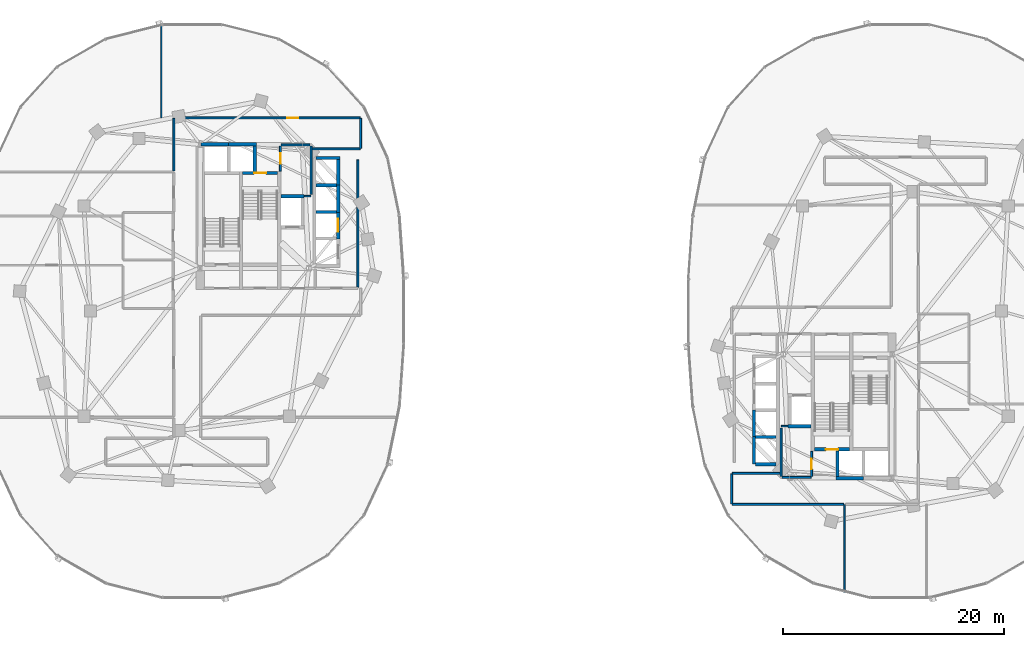
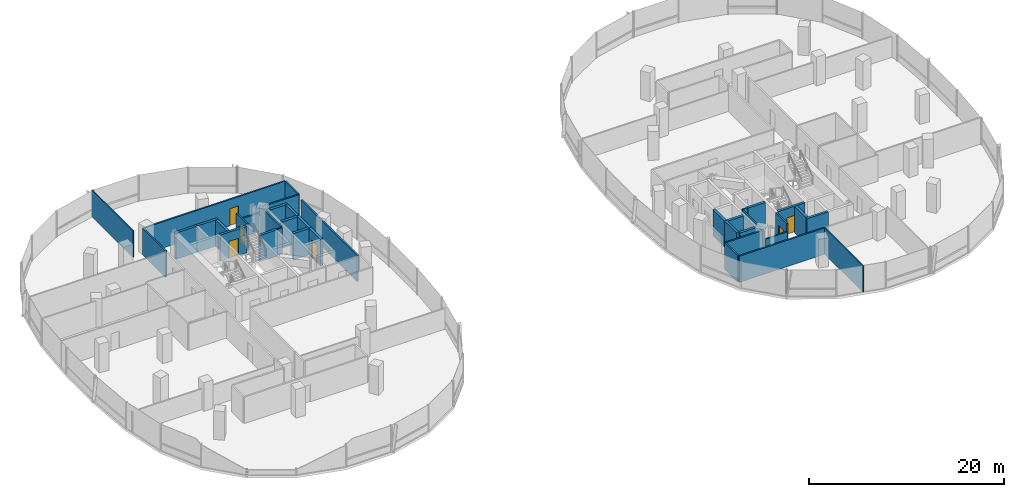
# One storey, part 12 of 21: 37 walls, 6 doors, 6 openings.
"""IFC4 building model written with IfcOpenShell, lengths in metres."""

from ifc_helpers import new_model, si_unit, direction, frame, frame_2d, origin, place, context, subcontext, project, spatial, rectangle, extrude, material, layer, layer_set, type_object, element, fill, save


model = new_model("IFC4")

# Units and contexts
model_context = context("Model", 3, precision=1e-05, world=origin(), true_north=direction((0.0, 1.0)))
body_context = subcontext(model_context, "Body", "Model", "MODEL_VIEW")
ifc_project = project(units=[si_unit("LENGTHUNIT", "METRE"), si_unit("AREAUNIT", "SQUARE_METRE"), si_unit("VOLUMEUNIT", "CUBIC_METRE"), si_unit("PLANEANGLEUNIT", "RADIAN"), si_unit("MASSUNIT", "GRAM", prefix="KILO"), si_unit("THERMODYNAMICTEMPERATUREUNIT", "KELVIN"), si_unit("POWERUNIT", "WATT")], contexts=[model_context])

# Site, building, storey
site_placement = place(None, origin())
site = spatial("IfcSite", under=ifc_project, at=site_placement, CompositionType="ELEMENT")
building_placement = place(site_placement, origin())
building = spatial("IfcBuilding", under=site, at=building_placement, Name="Cundina Bronze Exchange", CompositionType="ELEMENT")
storey_placement = place(building_placement, frame((0.0, 0.0, 110.60009765625)))
storey = spatial("IfcBuildingStorey", under=building, at=storey_placement, Name="L28", CompositionType="ELEMENT", Elevation=110.60009765625)

# Walls
ifc_material_1 = material(Name="Gypsum Fireboard Partition EI120")
ifc_layer_1 = layer(ifc_material_1, 0.179931640625, Name="Gypsum Fireboard Partition EI120")
ifc_layer_set_1 = layer_set([ifc_layer_1], Name="Gypsum Fireboard Partition EI120")
wall_type_1 = type_object("IfcWallType", Name="WL-COR-180", PredefinedType="PARTITIONING", material=ifc_layer_set_1)
wall_1_placement = place(storey_placement, frame((-17.02001953125, 2.169921875, 0.0), z_axis=(0.0, 0.0, 1.0), x_axis=(0.0, 1.0, 0.0)))
element("IfcWall", 1, at=wall_1_placement, inside=storey, type_object=wall_type_1, Name="L28 Interior Partition 001", PredefinedType="PARTITIONING", context=body_context, shape_type="SweptSolid", body=[
    extrude(rectangle(XDim=11.510009765625, YDim=0.179931640625, at=frame_2d((5.7548828125, 0.0))), origin(), (0.0, 0.0, 1.0), 3.2998046875),
])
wall_2_placement = place(storey_placement, frame((-21.25, 10.570068359375, 0.0), z_axis=(0.0, 0.0, 1.0), x_axis=(0.0, 1.0, 0.0)))
element("IfcWall", 2, at=wall_2_placement, inside=storey, type_object=wall_type_1, Name="L28 Interior Partition 004", PredefinedType="PARTITIONING", context=body_context, shape_type="SweptSolid", body=[
    extrude(rectangle(XDim=4.35986328125, YDim=0.179931640625, at=frame_2d((2.179931640625, 0.0))), origin(), (0.0, 0.0, 1.0), 3.2998046875),
])
wall_3_placement = place(storey_placement, frame((-23.9599609375, 15.030029296875, 0.0), z_axis=(0.0, 0.0, 1.0), x_axis=(1.0, 0.0, 0.0)))
element("IfcWall", 3, at=wall_3_placement, inside=storey, type_object=wall_type_1, Name="L28 Interior Partition 005", PredefinedType="PARTITIONING", context=body_context, shape_type="SweptSolid", body=[
    extrude(rectangle(XDim=2.60986328125, YDim=0.179931640625, at=frame_2d((1.304931640625, 0.0))), origin(), (0.0, 0.0, 1.0), 2.372802734375),
])

# Wall, opening, door
wall_4_placement = place(storey_placement, frame((-24.02001953125, 12.669921875, 0.0), z_axis=(0.0, 0.0, 1.0), x_axis=(0.0, 1.0, 0.0)))
wall_4 = element("IfcWall", 4, at=wall_4_placement, inside=storey, type_object=wall_type_1, Name="L28 Interior Partition 007", PredefinedType="PARTITIONING", context=body_context, shape_type="SweptSolid", body=[
    extrude(rectangle(XDim=2.260009765625, YDim=0.179931640625, at=frame_2d((1.1298828125, 0.0))), origin(), (0.0, 0.0, 1.0), 3.2998046875),
])
opening_1_placement = place(wall_4_placement, frame((0.655029296875, 0.0, 0.0)))
opening_1 = element("IfcOpeningElement", 5, at=opening_1_placement, cuts=wall_4, Name="Opening DW-01", PredefinedType="OPENING", context=body_context, shape_type="SweptSolid", body=[
    extrude(rectangle(XDim=0.949951171875, YDim=2.10009765625, at=frame_2d((0.47509765625, 1.050048828125))), frame((0.0, 0.099853515625, 0.0), z_axis=(0.0, -1.0, 0.0), x_axis=(1.0, 0.0, 0.0)), (0.0, 0.0, 1.0), 0.199951171875),
])
ifc_material_2 = material(Name="Solid Andean Oak Timber Grade A", Category="wood")
door_type_1 = type_object("IfcDoorType", Name="DR-WC-950", OperationType="NOTDEFINED", PredefinedType="DOOR", material=ifc_material_2)
door_1_placement = place(opening_1_placement, origin())
door_1 = element("IfcDoor", 6, at=door_1_placement, inside=storey, type_object=door_type_1, Name="L28 Interior Door 007", OperationType="SINGLE_SWING_RIGHT", OverallHeight=2.10009765625, OverallWidth=0.949951171875, PredefinedType="DOOR", context=body_context, shape_type="SweptSolid", body=[
    extrude(rectangle(XDim=0.949951171875, YDim=2.10009765625, at=frame_2d((0.47509765625, 1.050048828125))), frame((0.0, 0.02490234375, 0.0), z_axis=(0.0, -1.0, 0.0), x_axis=(1.0, 0.0, 0.0)), (0.0, 0.0, 1.0), 0.050048828125),
])
fill(opening_1, door_1)

wall_5_placement = place(storey_placement, frame((-16.821533203125, 17.469970703125, 0.0), z_axis=(0.0, 0.0, 1.0), x_axis=(-1.0, 0.0, 0.0)))
wall_5 = element("IfcWall", 7, at=wall_5_placement, inside=storey, type_object=wall_type_1, Name="L28 Interior Partition 028", PredefinedType="PARTITIONING", context=body_context, shape_type="SweptSolid", body=[
    extrude(rectangle(XDim=16.806884765625, YDim=0.179931640625, at=frame_2d((8.4033203125, 0.0))), origin(), (0.0, 0.0, 1.0), 3.2998046875),
])
opening_2_placement = place(wall_5_placement, frame((5.568603515625, 0.0, 0.0)))
opening_2 = element("IfcOpeningElement", 8, at=opening_2_placement, cuts=wall_5, Name="Opening DO-01", PredefinedType="OPENING", context=body_context, shape_type="SweptSolid", body=[
    extrude(rectangle(XDim=1.0, YDim=2.14990234375, at=frame_2d((0.5, 1.074951171875))), frame((0.0, 0.099853515625, 0.0), z_axis=(0.0, -1.0, 0.0), x_axis=(1.0, 0.0, 0.0)), (0.0, 0.0, 1.0), 0.199951171875),
])
door_type_2 = type_object("IfcDoorType", Name="DR-OFF-1000", OperationType="NOTDEFINED", PredefinedType="DOOR", material=ifc_material_2)
door_2_placement = place(opening_2_placement, origin())
door_2 = element("IfcDoor", 9, at=door_2_placement, inside=storey, type_object=door_type_2, Name="L28 Interior Door 028", OperationType="SINGLE_SWING_LEFT", OverallHeight=2.14990234375, OverallWidth=1.0, PredefinedType="DOOR", context=body_context, shape_type="SweptSolid", body=[
    extrude(rectangle(XDim=1.0, YDim=2.14990234375, at=frame_2d((0.5, 1.074951171875))), frame((0.0, 0.02490234375, 0.0), z_axis=(0.0, -1.0, 0.0), x_axis=(1.0, 0.0, 0.0)), (0.0, 0.0, 1.0), 0.050048828125),
])
fill(opening_2, door_2)

# Walls
wall_6_placement = place(storey_placement, frame((-33.669921875, 17.428466796875, 0.0), z_axis=(0.0, 0.0, 1.0), x_axis=(0.0, -1.0, 0.0)))
element("IfcWall", 10, at=wall_6_placement, inside=storey, type_object=wall_type_1, Name="L28 Interior Partition 031", PredefinedType="PARTITIONING", context=body_context, shape_type="SweptSolid", body=[
    extrude(rectangle(XDim=4.738525390625, YDim=0.179931640625, at=frame_2d((2.369140625, 0.0))), origin(), (0.0, 0.0, 1.0), 3.2998046875),
])
wall_7_placement = place(storey_placement, frame((-21.178466796875, 14.679931640625, 0.0), z_axis=(0.0, 0.0, 1.0), x_axis=(1.0, 0.0, 0.0)))
element("IfcWall", 11, at=wall_7_placement, inside=storey, type_object=wall_type_1, Name="L28 Interior Partition 032", PredefinedType="PARTITIONING", context=body_context, shape_type="SweptSolid", body=[
    extrude(rectangle(XDim=4.35693359375, YDim=0.179931640625, at=frame_2d((2.178466796875, 0.0))), origin(), (0.0, 0.0, 1.0), 3.2998046875),
])
wall_8_placement = place(storey_placement, frame((-16.780029296875, 14.721435546875, 0.0), z_axis=(0.0, 0.0, 1.0), x_axis=(0.0, 1.0, 0.0)))
element("IfcWall", 12, at=wall_8_placement, inside=storey, type_object=wall_type_1, Name="L28 Interior Partition 033", PredefinedType="PARTITIONING", context=body_context, shape_type="SweptSolid", body=[
    extrude(rectangle(XDim=2.70703125, YDim=0.179931640625, at=frame_2d((1.353515625, 0.0))), origin(), (0.0, 0.0, 1.0), 3.2998046875),
])
wall_9_placement = place(storey_placement, frame((21.25, -14.929931640625, 0.0), z_axis=(0.0, 0.0, 1.0), x_axis=(0.0, 1.0, 0.0)))
element("IfcWall", 13, at=wall_9_placement, inside=storey, type_object=wall_type_1, Name="L28 Interior Partition 040", PredefinedType="PARTITIONING", context=body_context, shape_type="SweptSolid", body=[
    extrude(rectangle(XDim=4.35986328125, YDim=0.179931640625, at=frame_2d((2.179931640625, 0.0))), origin(), (0.0, 0.0, 1.0), 3.2998046875),
])
wall_10_placement = place(storey_placement, frame((21.35009765625, -15.030029296875, 0.0), z_axis=(0.0, 0.0, 1.0), x_axis=(1.0, 0.0, 0.0)))
element("IfcWall", 14, at=wall_10_placement, inside=storey, type_object=wall_type_1, Name="L28 Interior Partition 041", PredefinedType="PARTITIONING", context=body_context, shape_type="SweptSolid", body=[
    extrude(rectangle(XDim=2.60986328125, YDim=0.179931640625, at=frame_2d((1.304931640625, 0.0))), origin(), (0.0, 0.0, 1.0), 2.372802734375),
])

# Wall, opening, door
wall_11_placement = place(storey_placement, frame((24.02001953125, -14.929931640625, 0.0), z_axis=(0.0, 0.0, 1.0), x_axis=(0.0, 1.0, 0.0)))
wall_11 = element("IfcWall", 15, at=wall_11_placement, inside=storey, type_object=wall_type_1, Name="L28 Interior Partition 043", PredefinedType="PARTITIONING", context=body_context, shape_type="SweptSolid", body=[
    extrude(rectangle(XDim=2.260009765625, YDim=0.179931640625, at=frame_2d((1.1298828125, 0.0))), origin(), (0.0, 0.0, 1.0), 3.2998046875),
])
opening_3_placement = place(wall_11_placement, frame((0.655029296875, 0.0, 0.0)))
opening_3 = element("IfcOpeningElement", 16, at=opening_3_placement, cuts=wall_11, Name="Opening DW-01", PredefinedType="OPENING", context=body_context, shape_type="SweptSolid", body=[
    extrude(rectangle(XDim=0.949951171875, YDim=2.10009765625, at=frame_2d((0.47509765625, 1.050048828125))), frame((0.0, 0.099853515625, 0.0), z_axis=(0.0, -1.0, 0.0), x_axis=(1.0, 0.0, 0.0)), (0.0, 0.0, 1.0), 0.199951171875),
])
door_3_placement = place(opening_3_placement, origin())
door_3 = element("IfcDoor", 17, at=door_3_placement, inside=storey, type_object=door_type_1, Name="L28 Interior Door 043", OperationType="SINGLE_SWING_LEFT", OverallHeight=2.10009765625, OverallWidth=0.949951171875, PredefinedType="DOOR", context=body_context, shape_type="SweptSolid", body=[
    extrude(rectangle(XDim=0.949951171875, YDim=2.10009765625, at=frame_2d((0.47509765625, 1.050048828125))), frame((0.0, 0.02490234375, 0.0), z_axis=(0.0, -1.0, 0.0), x_axis=(1.0, 0.0, 0.0)), (0.0, 0.0, 1.0), 0.050048828125),
])
fill(opening_3, door_3)

# Walls
wall_12_placement = place(storey_placement, frame((16.821533203125, -17.469970703125, 0.0), z_axis=(0.0, 0.0, 1.0), x_axis=(1.0, 0.0, 0.0)))
element("IfcWall", 18, at=wall_12_placement, inside=storey, type_object=wall_type_1, Name="L28 Interior Partition 059", PredefinedType="PARTITIONING", context=body_context, shape_type="SweptSolid", body=[
    extrude(rectangle(XDim=10.08837890625, YDim=0.179931640625, at=frame_2d((5.044189453125, 0.0))), origin(), (0.0, 0.0, 1.0), 3.2998046875),
])
wall_13_placement = place(storey_placement, frame((21.178466796875, -14.679931640625, 0.0), z_axis=(0.0, 0.0, 1.0), x_axis=(-1.0, 0.0, 0.0)))
element("IfcWall", 19, at=wall_13_placement, inside=storey, type_object=wall_type_1, Name="L28 Interior Partition 061", PredefinedType="PARTITIONING", context=body_context, shape_type="SweptSolid", body=[
    extrude(rectangle(XDim=4.35693359375, YDim=0.179931640625, at=frame_2d((2.178466796875, 0.0))), origin(), (0.0, 0.0, 1.0), 3.2998046875),
])
wall_14_placement = place(storey_placement, frame((16.780029296875, -14.721435546875, 0.0), z_axis=(0.0, 0.0, 1.0), x_axis=(0.0, -1.0, 0.0)))
element("IfcWall", 20, at=wall_14_placement, inside=storey, type_object=wall_type_1, Name="L28 Interior Partition 062", PredefinedType="PARTITIONING", context=body_context, shape_type="SweptSolid", body=[
    extrude(rectangle(XDim=2.70703125, YDim=0.179931640625, at=frame_2d((1.353515625, 0.0))), origin(), (0.0, 0.0, 1.0), 3.2998046875),
])
ifc_material_3 = material(Name="Gypsum Acoustic Partition EI60")
ifc_layer_2 = layer(ifc_material_3, 0.125, Name="Gypsum Acoustic Partition EI60")
ifc_layer_set_2 = layer_set([ifc_layer_2], Name="Gypsum Acoustic Partition EI60")
wall_type_2 = type_object("IfcWallType", Name="WL-OFF-125", PredefinedType="PARTITIONING", material=ifc_layer_set_2)
wall_15_placement = place(storey_placement, frame((-34.800048828125, 17.469970703125, 0.0), z_axis=(0.0, 0.0, 1.0), x_axis=(0.0, 1.0, 0.0)))
element("IfcWall", 21, at=wall_15_placement, inside=storey, type_object=wall_type_2, Name="L28 Interior Partition 019", PredefinedType="PARTITIONING", context=body_context, shape_type="SweptSolid", body=[
    extrude(rectangle(XDim=8.490478515625, YDim=0.125, at=frame_2d((4.2451171875, 0.0))), origin(), (0.0, 0.0, 1.0), 3.2998046875),
])
wall_16_placement = place(storey_placement, frame((27.0, -25.404296875, 0.0), z_axis=(0.0, 0.0, 1.0), x_axis=(0.0, 1.0, 0.0)))
element("IfcWall", 22, at=wall_16_placement, inside=storey, type_object=wall_type_2, Name="L28 Interior Partition 054", PredefinedType="PARTITIONING", context=body_context, shape_type="SweptSolid", body=[
    extrude(rectangle(XDim=7.904296875, YDim=0.125, at=frame_2d((3.9521484375, 0.0))), origin(), (0.0, 0.0, 1.0), 3.2998046875),
])

# Wall, opening, door
ifc_material_4 = material(Name="Concrete C50/60", Category="concrete")
ifc_layer_3 = layer(ifc_material_4, 0.300048828125, Name="Concrete C50/60", Category="concrete")
ifc_layer_set_3 = layer_set([ifc_layer_3], Name="Concrete C50/60")
wall_type_3 = type_object("IfcWallType", Name="WL-SHFT-300", PredefinedType="SHEAR", material=ifc_layer_set_3)
wall_17_placement = place(storey_placement, frame((-27.43994140625, 12.5, 0.0), z_axis=(0.0, 0.0, 1.0), x_axis=(1.0, 0.0, 0.0)))
wall_17 = element("IfcWall", 23, at=wall_17_placement, inside=storey, type_object=wall_type_3, Name="L28 Stair W2 Landing Wall", PredefinedType="SHEAR", context=body_context, shape_type="SweptSolid", body=[
    extrude(rectangle(XDim=3.159912109375, YDim=0.300048828125, at=frame_2d((1.580078125, 0.0))), origin(), (0.0, 0.0, 1.0), 3.2998046875),
])
opening_4_placement = place(wall_17_placement, frame((1.030029296875, 0.0, 0.0)))
opening_4 = element("IfcOpeningElement", 24, at=opening_4_placement, cuts=wall_17, Name="Opening DS-01", PredefinedType="OPENING", context=body_context, shape_type="SweptSolid", body=[
    extrude(rectangle(XDim=1.10009765625, YDim=2.14990234375, at=frame_2d((0.550048828125, 1.074951171875))), frame((0.0, 0.159912109375, 0.0), z_axis=(0.0, -1.0, 0.0), x_axis=(1.0, 0.0, 0.0)), (0.0, 0.0, 1.0), 0.320068359375),
])
ifc_material_5 = material(Name="Steel ASTM A36 Painted", Category="steel")
door_type_3 = type_object("IfcDoorType", Name="DR-STR-1100", OperationType="NOTDEFINED", PredefinedType="DOOR", material=ifc_material_5)
door_4_placement = place(opening_4_placement, origin())
door_4 = element("IfcDoor", 25, at=door_4_placement, inside=storey, type_object=door_type_3, Name="L28 Smokeproof Stair W2 Door", OperationType="SINGLE_SWING_LEFT", OverallHeight=2.14990234375, OverallWidth=1.10009765625, PredefinedType="DOOR", context=body_context, shape_type="SweptSolid", body=[
    extrude(rectangle(XDim=1.10009765625, YDim=2.14990234375, at=frame_2d((0.550048828125, 1.074951171875))), frame((0.0, 0.02490234375, 0.0), z_axis=(0.0, -1.0, 0.0), x_axis=(1.0, 0.0, 0.0)), (0.0, 0.0, 1.0), 0.050048828125),
])
fill(opening_4, door_4)

# Walls
wall_18_placement = place(storey_placement, frame((-23.97998046875, 10.39990234375, 0.0), z_axis=(0.0, 0.0, 1.0), x_axis=(1.0, 0.0, 0.0)))
element("IfcWall", 26, at=wall_18_placement, inside=storey, type_object=wall_type_3, Name="L28 FFL-W Hoistway Back Wall", PredefinedType="SHEAR", context=body_context, shape_type="SweptSolid", body=[
    extrude(rectangle(XDim=2.10009765625, YDim=0.300048828125, at=frame_2d((1.050048828125, 0.0))), origin(), (0.0, 0.0, 1.0), 3.2998046875),
])
for number, where, z_axis, x_axis, name in (
    (27, (-31.199951171875, 15.10009765625, 0.0), (0.0, 0.0, 1.0), (1.0, 0.0, 0.0), "L28 PH-W1 Hoistway Front Wall"),
    (28, (-28.699951171875, 15.10009765625, 0.0), (0.0, 0.0, 1.0), (1.0, 0.0, 0.0), "L28 PH-W2 Hoistway Front Wall"),
):
    element("IfcWall", number, at=place(storey_placement, frame(where, z_axis=z_axis, x_axis=x_axis)), inside=storey, type_object=wall_type_3, Name=name, PredefinedType="SHEAR", context=body_context, shape_type="SweptSolid", body=[
        extrude(rectangle(XDim=2.5, YDim=0.300048828125, at=frame_2d((1.25, 0.0))), origin(), (0.0, 0.0, 1.0), 3.2998046875),
    ])
wall_19_placement = place(storey_placement, frame((-26.35009765625, 12.64990234375, 0.0), z_axis=(0.0, 0.0, 1.0), x_axis=(0.0, 1.0, 0.0)))
element("IfcWall", 29, at=wall_19_placement, inside=storey, type_object=wall_type_3, Name="L28 PH-W2 Hoistway Divider Wall", PredefinedType="SHEAR", context=body_context, shape_type="SweptSolid", body=[
    extrude(rectangle(XDim=2.300048828125, YDim=0.300048828125, at=frame_2d((1.14990234375, 0.0))), origin(), (0.0, 0.0, 1.0), 3.2998046875),
])
wall_20_placement = place(storey_placement, frame((-20.800048828125, 13.85009765625, 0.0), z_axis=(0.0, 0.0, 1.0), x_axis=(1.0, 0.0, 0.0)))
element("IfcWall", 30, at=wall_20_placement, inside=storey, type_object=wall_type_3, Name="L28 W Passenger Bank North Cap Wall", PredefinedType="SHEAR", context=body_context, shape_type="SweptSolid", body=[
    extrude(rectangle(XDim=2.150146484375, YDim=0.300048828125, at=frame_2d((1.0751953125, 0.0))), origin(), (0.0, 0.0, 1.0), 3.2998046875),
])
for number, where, z_axis, x_axis, name in (
    (31, (-20.800048828125, 8.97509765625, 0.0), (0.0, 0.0, 1.0), (1.0, 0.0, 0.0), "L28 W Passenger Hoistway Divider 2"),
    (32, (-20.800048828125, 11.375, 0.0), (0.0, 0.0, 1.0), (1.0, 0.0, 0.0), "L28 W Passenger Hoistway Divider 3"),
):
    element("IfcWall", number, at=place(storey_placement, frame(where, z_axis=z_axis, x_axis=x_axis)), inside=storey, type_object=wall_type_3, Name=name, PredefinedType="SHEAR", context=body_context, shape_type="SweptSolid", body=[
        extrude(rectangle(XDim=1.85009765625, YDim=0.300048828125, at=frame_2d((0.925048828125, 0.0))), origin(), (0.0, 0.0, 1.0), 3.2998046875),
    ])

# Wall, opening, door
wall_21_placement = place(storey_placement, frame((-18.800048828125, 6.530029296875, 0.0), z_axis=(0.0, 0.0, 1.0), x_axis=(0.0, 1.0, 0.0)))
wall_21 = element("IfcWall", 33, at=wall_21_placement, inside=storey, type_object=wall_type_3, Name="L28 PL-W1 Hoistway Front Wall", PredefinedType="SHEAR", context=body_context, shape_type="SweptSolid", body=[
    extrude(rectangle(XDim=2.489990234375, YDim=0.300048828125, at=frame_2d((1.2451171875, 0.0))), origin(), (0.0, 0.0, 1.0), 3.2998046875),
])
opening_5_placement = place(wall_21_placement, frame((0.669921875, 0.0, 0.0)))
opening_5 = element("IfcOpeningElement", 34, at=opening_5_placement, cuts=wall_21, Name="Opening LD-01", PredefinedType="OPENING", context=body_context, shape_type="SweptSolid", body=[
    extrude(rectangle(XDim=1.14990234375, YDim=2.199951171875, at=frame_2d((0.574951171875, 1.10009765625))), frame((0.0, 0.159912109375, 0.0), z_axis=(0.0, -1.0, 0.0), x_axis=(1.0, 0.0, 0.0)), (0.0, 0.0, 1.0), 0.320068359375),
])
door_type_4 = type_object("IfcDoorType", Name="DR-LND-1150", OperationType="NOTDEFINED", PredefinedType="TRAPDOOR", material=ifc_material_5)
door_5_placement = place(opening_5_placement, origin())
door_5 = element("IfcDoor", 35, at=door_5_placement, inside=storey, type_object=door_type_4, Name="L28 PL-W1 Sliding Landing Door", OperationType="SLIDING_TO_LEFT", OverallHeight=2.199951171875, OverallWidth=1.14990234375, PredefinedType="TRAPDOOR", context=body_context, shape_type="SweptSolid", body=[
    extrude(rectangle(XDim=1.14990234375, YDim=2.199951171875, at=frame_2d((0.574951171875, 1.10009765625))), frame((0.0, 0.02490234375, 0.0), z_axis=(0.0, -1.0, 0.0), x_axis=(1.0, 0.0, 0.0)), (0.0, 0.0, 1.0), 0.050048828125),
])
fill(opening_5, door_5)

# Walls
for number, where, z_axis, x_axis, name in (
    (36, (-18.800048828125, 8.929931640625, 0.0), (0.0, 0.0, 1.0), (0.0, 1.0, 0.0), "L28 PM-W2 Hoistway Front Wall"),
    (37, (-18.800048828125, 11.330078125, 0.0), (0.0, 0.0, 1.0), (0.0, 1.0, 0.0), "L28 PM-W1 Hoistway Front Wall"),
):
    element("IfcWall", number, at=place(storey_placement, frame(where, z_axis=z_axis, x_axis=x_axis)), inside=storey, type_object=wall_type_3, Name=name, PredefinedType="SHEAR", context=body_context, shape_type="SweptSolid", body=[
        extrude(rectangle(XDim=2.489990234375, YDim=0.300048828125, at=frame_2d((1.2451171875, 0.0))), origin(), (0.0, 0.0, 1.0), 3.2998046875),
    ])

# Wall, opening, door
wall_22_placement = place(storey_placement, frame((24.280029296875, -12.5, 0.0), z_axis=(0.0, 0.0, 1.0), x_axis=(1.0, 0.0, 0.0)))
wall_22 = element("IfcWall", 38, at=wall_22_placement, inside=storey, type_object=wall_type_3, Name="L28 Stair E2 Landing Wall", PredefinedType="SHEAR", context=body_context, shape_type="SweptSolid", body=[
    extrude(rectangle(XDim=3.159912109375, YDim=0.300048828125, at=frame_2d((1.580078125, 0.0))), origin(), (0.0, 0.0, 1.0), 3.2998046875),
])
opening_6_placement = place(wall_22_placement, frame((1.030029296875, 0.0, 0.0)))
opening_6 = element("IfcOpeningElement", 39, at=opening_6_placement, cuts=wall_22, Name="Opening DS-01", PredefinedType="OPENING", context=body_context, shape_type="SweptSolid", body=[
    extrude(rectangle(XDim=1.10009765625, YDim=2.14990234375, at=frame_2d((0.550048828125, 1.074951171875))), frame((0.0, 0.159912109375, 0.0), z_axis=(0.0, -1.0, 0.0), x_axis=(1.0, 0.0, 0.0)), (0.0, 0.0, 1.0), 0.320068359375),
])
door_6_placement = place(opening_6_placement, origin())
door_6 = element("IfcDoor", 40, at=door_6_placement, inside=storey, type_object=door_type_3, Name="L28 Smokeproof Stair E2 Door", OperationType="SINGLE_SWING_RIGHT", OverallHeight=2.14990234375, OverallWidth=1.10009765625, PredefinedType="DOOR", context=body_context, shape_type="SweptSolid", body=[
    extrude(rectangle(XDim=1.10009765625, YDim=2.14990234375, at=frame_2d((0.550048828125, 1.074951171875))), frame((0.0, 0.02490234375, 0.0), z_axis=(0.0, -1.0, 0.0), x_axis=(1.0, 0.0, 0.0)), (0.0, 0.0, 1.0), 0.050048828125),
])
fill(opening_6, door_6)

# Walls
wall_23_placement = place(storey_placement, frame((21.8798828125, -10.39990234375, 0.0), z_axis=(0.0, 0.0, 1.0), x_axis=(1.0, 0.0, 0.0)))
element("IfcWall", 41, at=wall_23_placement, inside=storey, type_object=wall_type_3, Name="L28 FFL-E Hoistway Back Wall", PredefinedType="SHEAR", context=body_context, shape_type="SweptSolid", body=[
    extrude(rectangle(XDim=2.10009765625, YDim=0.300048828125, at=frame_2d((1.050048828125, 0.0))), origin(), (0.0, 0.0, 1.0), 3.2998046875),
])
wall_24_placement = place(storey_placement, frame((26.199951171875, -15.10009765625, 0.0), z_axis=(0.0, 0.0, 1.0), x_axis=(1.0, 0.0, 0.0)))
element("IfcWall", 42, at=wall_24_placement, inside=storey, type_object=wall_type_3, Name="L28 PH-E2 Hoistway Front Wall", PredefinedType="SHEAR", context=body_context, shape_type="SweptSolid", body=[
    extrude(rectangle(XDim=2.5, YDim=0.300048828125, at=frame_2d((1.25, 0.0))), origin(), (0.0, 0.0, 1.0), 3.2998046875),
])
wall_25_placement = place(storey_placement, frame((26.35009765625, -14.949951171875, 0.0), z_axis=(0.0, 0.0, 1.0), x_axis=(0.0, 1.0, 0.0)))
element("IfcWall", 43, at=wall_25_placement, inside=storey, type_object=wall_type_3, Name="L28 PH-E2 Hoistway Divider Wall", PredefinedType="SHEAR", context=body_context, shape_type="SweptSolid", body=[
    extrude(rectangle(XDim=2.300048828125, YDim=0.300048828125, at=frame_2d((1.14990234375, 0.0))), origin(), (0.0, 0.0, 1.0), 3.2998046875),
])
for number, where, z_axis, x_axis, name in (
    (44, (18.949951171875, -13.85009765625, 0.0), (0.0, 0.0, 1.0), (1.0, 0.0, 0.0), "L28 E Passenger Bank South Cap Wall"),
    (45, (18.949951171875, -11.375, 0.0), (0.0, 0.0, 1.0), (1.0, 0.0, 0.0), "L28 E Passenger Hoistway Divider 1"),
):
    element("IfcWall", number, at=place(storey_placement, frame(where, z_axis=z_axis, x_axis=x_axis)), inside=storey, type_object=wall_type_3, Name=name, PredefinedType="SHEAR", context=body_context, shape_type="SweptSolid", body=[
        extrude(rectangle(XDim=1.85009765625, YDim=0.300048828125, at=frame_2d((0.925048828125, 0.0))), origin(), (0.0, 0.0, 1.0), 3.2998046875),
    ])
for number, where, z_axis, x_axis, name in (
    (46, (18.800048828125, -13.820068359375, 0.0), (0.0, 0.0, 1.0), (0.0, 1.0, 0.0), "L28 PM-E1 Hoistway Front Wall"),
    (47, (18.800048828125, -11.419921875, 0.0), (0.0, 0.0, 1.0), (0.0, 1.0, 0.0), "L28 PM-E2 Hoistway Front Wall"),
):
    element("IfcWall", number, at=place(storey_placement, frame(where, z_axis=z_axis, x_axis=x_axis)), inside=storey, type_object=wall_type_3, Name=name, PredefinedType="SHEAR", context=body_context, shape_type="SweptSolid", body=[
        extrude(rectangle(XDim=2.489990234375, YDim=0.300048828125, at=frame_2d((1.2451171875, 0.0))), origin(), (0.0, 0.0, 1.0), 3.2998046875),
    ])
ifc_material_6 = material(Name="Moisture-Resistant Masonry Block Grade M15", Category="masonry")
ifc_layer_4 = layer(ifc_material_6, 0.139892578125, Name="Moisture-Resistant Masonry Block Grade M15", Category="masonry")
ifc_layer_set_4 = layer_set([ifc_layer_4], Name="Moisture-Resistant Masonry Block Grade M15")
wall_type_4 = type_object("IfcWallType", Name="WL-WET-140", PredefinedType="PARTITIONING", material=ifc_layer_set_4)
for number, where, z_axis, x_axis, name in (
    (48, (-21.860107421875, 10.39990234375, 0.0), (0.0, 0.0, 1.0), (1.0, 0.0, 0.0), "L28 Interior Partition 003"),
    (49, (21.27001953125, -10.39990234375, 0.0), (0.0, 0.0, 1.0), (1.0, 0.0, 0.0), "L28 Interior Partition 039"),
):
    element("IfcWall", number, at=place(storey_placement, frame(where, z_axis=z_axis, x_axis=x_axis)), inside=storey, type_object=wall_type_4, Name=name, PredefinedType="PARTITIONING", context=body_context, shape_type="SweptSolid", body=[
        extrude(rectangle(XDim=0.590087890625, YDim=0.139892578125, at=frame_2d((0.294921875, 0.0))), origin(), (0.0, 0.0, 1.0), 3.2998046875),
    ])

save(model, "model.ifc")
